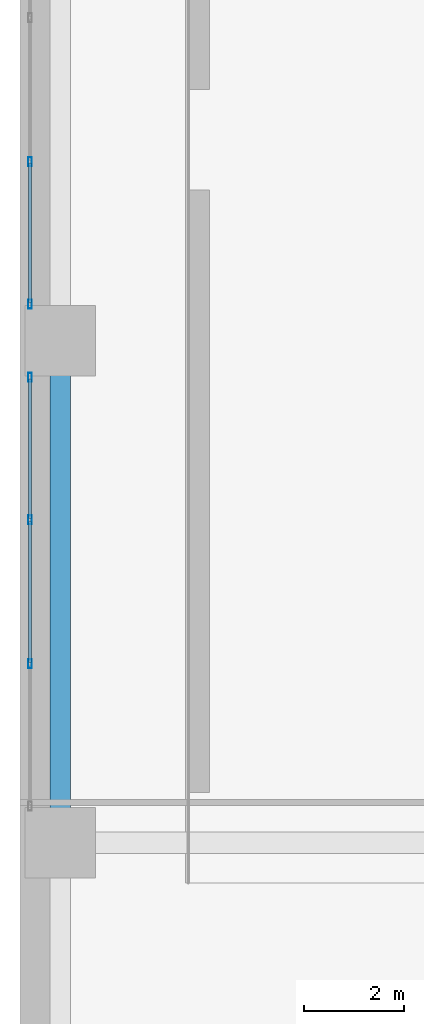
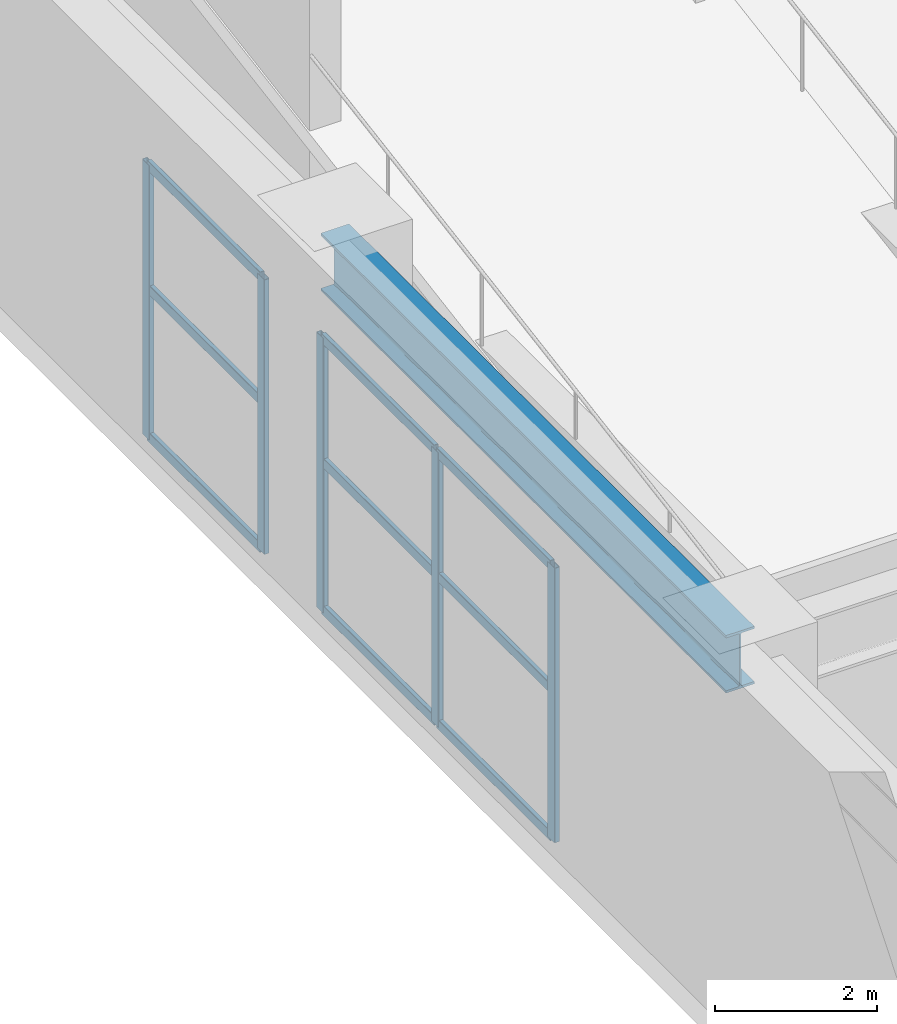
# One storey, part 7 of 25: 14 members, 1 beam, 2 elements without a shape of their own.
"""IFC4 building model written with IfcOpenShell, lengths in metres."""

from ifc_helpers import new_model, si_unit, direction, frame, origin, origin_2d, place, context, subcontext, project, spatial, hollow_rectangle, i_section, extrude, material, layer, layer_set, material_profile, profile_set, type_object, element, aggregate, save


model = new_model("IFC4")

# Units and contexts
model_context = context("Model", 3, precision=1e-05, world=origin(), true_north=direction((0.0, 1.0)))
body_context = subcontext(model_context, "Body", "Model", "MODEL_VIEW")
ifc_project = project(units=[si_unit("LENGTHUNIT", "METRE"), si_unit("AREAUNIT", "SQUARE_METRE"), si_unit("VOLUMEUNIT", "CUBIC_METRE"), si_unit("PLANEANGLEUNIT", "RADIAN"), si_unit("MASSUNIT", "GRAM", prefix="KILO")], contexts=[model_context])

# Site, building, storey
site_placement = place(None, origin())
site = spatial("IfcSite", under=ifc_project, at=site_placement, CompositionType="ELEMENT")
building_placement = place(site_placement, origin())
building = spatial("IfcBuilding", under=site, at=building_placement, Name="Soratama Intermodal Tower", CompositionType="ELEMENT")
storey_placement = place(building_placement, frame((0.0, 0.0, -5.39990234375)))
storey = spatial("IfcBuildingStorey", under=building, at=storey_placement, Name="B1", CompositionType="ELEMENT", Elevation=-5.39990234375)

# Beam
ifc_material_1 = material(Name="Structural steel ASTM A992 Grade 50", Category="steel")
ifc_material_profile_1 = material_profile(ifc_material_1, i_section(OverallWidth=0.403076171875, OverallDepth=0.867919921875, WebThickness=0.02099609375, FlangeThickness=0.03564453125, FilletRadius=0.01806640625, at=origin_2d()), Name="W33X241")
ifc_profile_set_1 = profile_set([ifc_material_profile_1], Name="Structural steel ASTM A992 Grade 50")
beam_type = type_object("IfcBeamType", Name="BM-POD-EXT-W33", PredefinedType="BEAM", material=ifc_profile_set_1)
beam_placement = place(storey_placement, frame((0.800048828125, 15.0, 4.64599609375), z_axis=(0.0, 1.0, 0.0), x_axis=(-1.0, 0.0, 0.0)))
element("IfcBeam", 1, at=beam_placement, inside=storey, type_object=beam_type, Name="B1 Station Girder Y1-2", PredefinedType="BEAM", context=body_context, shape_type="SweptSolid", body=[
    extrude(i_section(OverallWidth=0.403076171875, OverallDepth=0.867919921875, WebThickness=0.02099609375, FlangeThickness=0.03564453125, FilletRadius=0.01806640625, at=origin_2d()), origin(), (0.0, 0.0, 1.0), 10.0),
])

# Curtain wall, members
ifc_material_2 = material(Name="Double-glazed aluminium curtain wall", Category="aluminium")
ifc_layer = layer(ifc_material_2, 0.159912109375)
ifc_layer_set = layer_set([ifc_layer], Name="Double-glazed aluminium curtain wall")
curtain_wall_type = type_object("IfcCurtainWallType", Name="CW-SYS-1", PredefinedType="NOTDEFINED", material=ifc_layer_set)
curtain_wall_1_placement = place(storey_placement, origin())
curtain_wall_1 = element("IfcCurtainWall", 2, at=curtain_wall_1_placement, inside=storey, type_object=curtain_wall_type, Name="B1 Station Curtain Wall W1", PredefinedType="NOTDEFINED")
ifc_material_3 = material(Name="Anodised aluminium AA 6063-T6", Category="aluminium")
ifc_material_profile_2 = material_profile(ifc_material_3, hollow_rectangle(XDim=0.074951171875, YDim=0.179931640625, WallThickness=0.006103515625, InnerFilletRadius=0.006103515625, OuterFilletRadius=0.011962890625, at=origin_2d()), Name="CWM180X75X6")
ifc_profile_set_2 = profile_set([ifc_material_profile_2], Name="Anodised aluminium AA 6063-T6")
member_type_1 = type_object("IfcMemberType", Name="MT-CWM-1", PredefinedType="MULLION", material=ifc_profile_set_2)
member_1_placement = place(storey_placement, frame((0.199951171875, 18.566650390625, 0.0), z_axis=(0.0, 0.0, 1.0), x_axis=(-1.0, 0.0, 0.0)))
member_1 = element("IfcMember", 3, at=member_1_placement, type_object=member_type_1, Name="CW-1 mullion 2", PredefinedType="MULLION", context=body_context, shape_type="SweptSolid", body=[
    extrude(hollow_rectangle(XDim=0.074951171875, YDim=0.179931640625, WallThickness=0.006103515625, InnerFilletRadius=0.006103515625, OuterFilletRadius=0.011962890625, at=origin_2d()), origin(), (0.0, 0.0, 1.0), 4.135986328125),
])
member_2_placement = place(storey_placement, frame((0.199951171875, 21.433349609375, 0.0), z_axis=(0.0, 0.0, 1.0), x_axis=(-1.0, 0.0, 0.0)))
member_2 = element("IfcMember", 4, at=member_2_placement, type_object=member_type_1, Name="CW-1 mullion 3", PredefinedType="MULLION", context=body_context, shape_type="SweptSolid", body=[
    extrude(hollow_rectangle(XDim=0.074951171875, YDim=0.179931640625, WallThickness=0.006103515625, InnerFilletRadius=0.006103515625, OuterFilletRadius=0.011962890625, at=origin_2d()), origin(), (0.0, 0.0, 1.0), 4.135986328125),
])
member_3_placement = place(storey_placement, frame((0.199951171875, 24.27001953125, 0.0), z_axis=(0.0, 0.0, 1.0), x_axis=(-1.0, 0.0, 0.0)))
member_3 = element("IfcMember", 5, at=member_3_placement, type_object=member_type_1, Name="CW-1 mullion 4", PredefinedType="MULLION", context=body_context, shape_type="SweptSolid", body=[
    extrude(hollow_rectangle(XDim=0.074951171875, YDim=0.179931640625, WallThickness=0.006103515625, InnerFilletRadius=0.006103515625, OuterFilletRadius=0.011962890625, at=origin_2d()), origin(), (0.0, 0.0, 1.0), 4.135986328125),
])

curtain_wall_2_placement = place(storey_placement, origin())
curtain_wall_2 = element("IfcCurtainWall", 6, at=curtain_wall_2_placement, inside=storey, type_object=curtain_wall_type, Name="B1 Station Curtain Wall W2", PredefinedType="NOTDEFINED")
member_4_placement = place(storey_placement, frame((0.199951171875, 25.72998046875, 0.0), z_axis=(0.0, 0.0, 1.0), x_axis=(-1.0, 0.0, 0.0)))
member_4 = element("IfcMember", 7, at=member_4_placement, type_object=member_type_1, Name="CW-1 mullion 1", PredefinedType="MULLION", context=body_context, shape_type="SweptSolid", body=[
    extrude(hollow_rectangle(XDim=0.074951171875, YDim=0.179931640625, WallThickness=0.006103515625, InnerFilletRadius=0.006103515625, OuterFilletRadius=0.011962890625, at=origin_2d()), origin(), (0.0, 0.0, 1.0), 4.135986328125),
])
member_5_placement = place(storey_placement, frame((0.199951171875, 28.566650390625, 0.0), z_axis=(0.0, 0.0, 1.0), x_axis=(-1.0, 0.0, 0.0)))
member_5 = element("IfcMember", 8, at=member_5_placement, type_object=member_type_1, Name="CW-1 mullion 2", PredefinedType="MULLION", context=body_context, shape_type="SweptSolid", body=[
    extrude(hollow_rectangle(XDim=0.074951171875, YDim=0.179931640625, WallThickness=0.006103515625, InnerFilletRadius=0.006103515625, OuterFilletRadius=0.011962890625, at=origin_2d()), origin(), (0.0, 0.0, 1.0), 4.135986328125),
])

# Member
ifc_material_4 = material(Name="Anodised aluminium AA 6063-T6", Category="aluminium")
ifc_material_profile_3 = material_profile(ifc_material_4, hollow_rectangle(XDim=0.06494140625, YDim=0.14990234375, WallThickness=0.0048828125, InnerFilletRadius=0.0048828125, OuterFilletRadius=0.010009765625, at=origin_2d()), Name="CWT150X65X5")
ifc_profile_set_3 = profile_set([ifc_material_profile_3], Name="Anodised aluminium AA 6063-T6")
member_type_2 = type_object("IfcMemberType", Name="TT-CWT-1", PredefinedType="USERDEFINED", material=ifc_profile_set_3)
member_6_placement = place(storey_placement, frame((0.199951171875, 18.5966796875, 0.02978515625), z_axis=(0.0, 1.0, 0.0), x_axis=(-1.0, 0.0, 0.0)))
member_6 = element("IfcMember", 9, at=member_6_placement, type_object=member_type_2, Name="CW-1 transom 2.1", ObjectType="TRANSOM", PredefinedType="USERDEFINED", context=body_context, shape_type="SweptSolid", body=[
    extrude(hollow_rectangle(XDim=0.06494140625, YDim=0.14990234375, WallThickness=0.0048828125, InnerFilletRadius=0.0048828125, OuterFilletRadius=0.010009765625, at=origin_2d()), origin(), (0.0, 0.0, 1.0), 2.806640625),
])

member_7_placement = place(storey_placement, frame((0.199951171875, 18.5966796875, 2.25), z_axis=(0.0, 1.0, 0.0), x_axis=(-1.0, 0.0, 0.0)))
member_7 = element("IfcMember", 10, at=member_7_placement, type_object=member_type_2, Name="CW-1 transom 2.2", ObjectType="TRANSOM", PredefinedType="USERDEFINED", context=body_context, shape_type="SweptSolid", body=[
    extrude(hollow_rectangle(XDim=0.06494140625, YDim=0.14990234375, WallThickness=0.0048828125, InnerFilletRadius=0.0048828125, OuterFilletRadius=0.010009765625, at=origin_2d()), origin(), (0.0, 0.0, 1.0), 2.806640625),
])

member_8_placement = place(storey_placement, frame((0.199951171875, 18.5966796875, 4.10595703125), z_axis=(0.0, 1.0, 0.0), x_axis=(-1.0, 0.0, 0.0)))
member_8 = element("IfcMember", 11, at=member_8_placement, type_object=member_type_2, Name="CW-1 transom 2.3", ObjectType="TRANSOM", PredefinedType="USERDEFINED", context=body_context, shape_type="SweptSolid", body=[
    extrude(hollow_rectangle(XDim=0.06494140625, YDim=0.14990234375, WallThickness=0.0048828125, InnerFilletRadius=0.0048828125, OuterFilletRadius=0.010009765625, at=origin_2d()), origin(), (0.0, 0.0, 1.0), 2.806640625),
])

member_9_placement = place(storey_placement, frame((0.199951171875, 21.46337890625, 0.02978515625), z_axis=(0.0, 1.0, 0.0), x_axis=(-1.0, 0.0, 0.0)))
member_9 = element("IfcMember", 12, at=member_9_placement, type_object=member_type_2, Name="CW-1 transom 3.1", ObjectType="TRANSOM", PredefinedType="USERDEFINED", context=body_context, shape_type="SweptSolid", body=[
    extrude(hollow_rectangle(XDim=0.06494140625, YDim=0.14990234375, WallThickness=0.0048828125, InnerFilletRadius=0.0048828125, OuterFilletRadius=0.010009765625, at=origin_2d()), origin(), (0.0, 0.0, 1.0), 2.776611328125),
])

member_10_placement = place(storey_placement, frame((0.199951171875, 21.46337890625, 2.25), z_axis=(0.0, 1.0, 0.0), x_axis=(-1.0, 0.0, 0.0)))
member_10 = element("IfcMember", 13, at=member_10_placement, type_object=member_type_2, Name="CW-1 transom 3.2", ObjectType="TRANSOM", PredefinedType="USERDEFINED", context=body_context, shape_type="SweptSolid", body=[
    extrude(hollow_rectangle(XDim=0.06494140625, YDim=0.14990234375, WallThickness=0.0048828125, InnerFilletRadius=0.0048828125, OuterFilletRadius=0.010009765625, at=origin_2d()), origin(), (0.0, 0.0, 1.0), 2.776611328125),
])

member_11_placement = place(storey_placement, frame((0.199951171875, 21.46337890625, 4.10595703125), z_axis=(0.0, 1.0, 0.0), x_axis=(-1.0, 0.0, 0.0)))
member_11 = element("IfcMember", 14, at=member_11_placement, type_object=member_type_2, Name="CW-1 transom 3.3", ObjectType="TRANSOM", PredefinedType="USERDEFINED", context=body_context, shape_type="SweptSolid", body=[
    extrude(hollow_rectangle(XDim=0.06494140625, YDim=0.14990234375, WallThickness=0.0048828125, InnerFilletRadius=0.0048828125, OuterFilletRadius=0.010009765625, at=origin_2d()), origin(), (0.0, 0.0, 1.0), 2.776611328125),
])

aggregate(curtain_wall_1, [member_1, member_2, member_3, member_6, member_7, member_8, member_9, member_10, member_11])

member_12_placement = place(storey_placement, frame((0.199951171875, 25.760009765625, 0.02978515625), z_axis=(0.0, 1.0, 0.0), x_axis=(-1.0, 0.0, 0.0)))
member_12 = element("IfcMember", 15, at=member_12_placement, type_object=member_type_2, Name="CW-1 transom 1.1", ObjectType="TRANSOM", PredefinedType="USERDEFINED", context=body_context, shape_type="SweptSolid", body=[
    extrude(hollow_rectangle(XDim=0.06494140625, YDim=0.14990234375, WallThickness=0.0048828125, InnerFilletRadius=0.0048828125, OuterFilletRadius=0.010009765625, at=origin_2d()), origin(), (0.0, 0.0, 1.0), 2.776611328125),
])

member_13_placement = place(storey_placement, frame((0.199951171875, 25.760009765625, 2.25), z_axis=(0.0, 1.0, 0.0), x_axis=(-1.0, 0.0, 0.0)))
member_13 = element("IfcMember", 16, at=member_13_placement, type_object=member_type_2, Name="CW-1 transom 1.2", ObjectType="TRANSOM", PredefinedType="USERDEFINED", context=body_context, shape_type="SweptSolid", body=[
    extrude(hollow_rectangle(XDim=0.06494140625, YDim=0.14990234375, WallThickness=0.0048828125, InnerFilletRadius=0.0048828125, OuterFilletRadius=0.010009765625, at=origin_2d()), origin(), (0.0, 0.0, 1.0), 2.776611328125),
])

member_14_placement = place(storey_placement, frame((0.199951171875, 25.760009765625, 4.10595703125), z_axis=(0.0, 1.0, 0.0), x_axis=(-1.0, 0.0, 0.0)))
member_14 = element("IfcMember", 17, at=member_14_placement, type_object=member_type_2, Name="CW-1 transom 1.3", ObjectType="TRANSOM", PredefinedType="USERDEFINED", context=body_context, shape_type="SweptSolid", body=[
    extrude(hollow_rectangle(XDim=0.06494140625, YDim=0.14990234375, WallThickness=0.0048828125, InnerFilletRadius=0.0048828125, OuterFilletRadius=0.010009765625, at=origin_2d()), origin(), (0.0, 0.0, 1.0), 2.776611328125),
])

aggregate(curtain_wall_2, [member_4, member_5, member_12, member_13, member_14])

save(model, "model.ifc")
